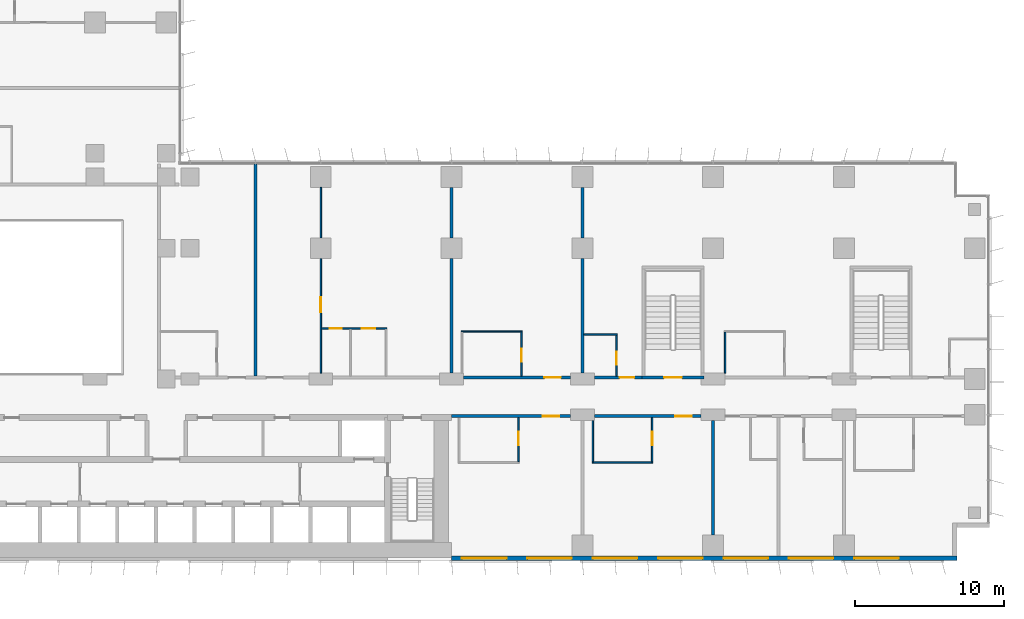
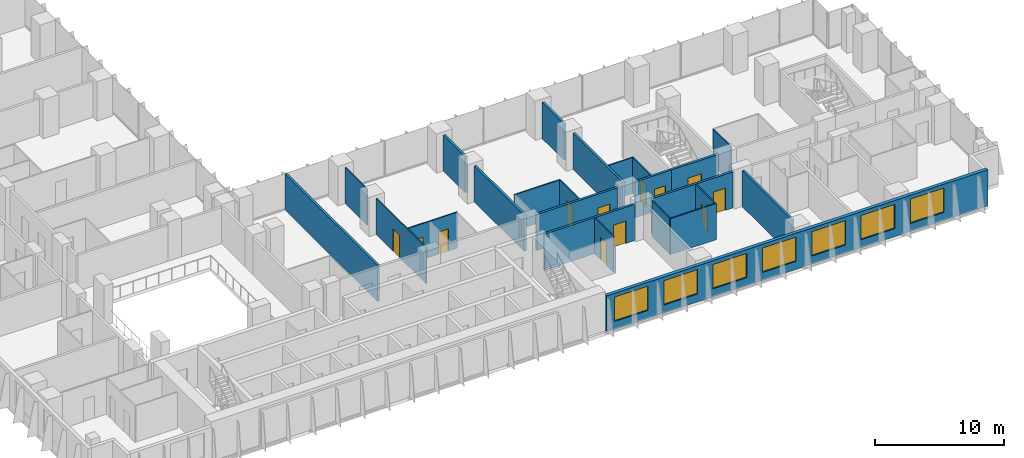
# One storey, part 14 of 24: 24 walls, 12 doors, 7 windows, 19 openings.
"""IFC4 building model written with IfcOpenShell, lengths in metres."""

import ifcopenshell
import ifcopenshell.guid

model = None  # the IFC model being written
_history = None  # IfcOwnerHistory: only IFC2X3 demands one
_inside = {}  # id of a spatial element -> (the spatial element, [elements in it])
_under = {}  # id of a project, library or spatial element -> (it, [spatial elements below it])
_declared = {}  # id of a project -> (the project, [libraries it declares])
_typed = {}  # id of a type object -> (the type object, [elements of that type])
_made_of = {}  # id of a material, layer set ... -> (it, [elements and type objects made of it])


def new_model(schema):
    """Start an empty IFC model of exactly this schema.

    Asked for "IFC4X3", IfcOpenShell would pick the latest addendum, in which some entities
    have other attributes; the version numbers below select the first issue.
    IFC2X3 requires an IfcOwnerHistory on every rooted entity: one is made here for all.
    """
    global model, _history
    if schema == "IFC4X3":
        model = ifcopenshell.file(schema_version=(4, 3, 0, 0))
    else:
        model = ifcopenshell.file(schema=schema)
    _inside.clear()
    _under.clear()
    _declared.clear()
    _typed.clear()
    _made_of.clear()
    _history = None
    if model.schema == "IFC2X3":
        org = make("IfcOrganization", Name="unknown")
        user = make(
            "IfcPersonAndOrganization",
            ThePerson=make("IfcPerson", FamilyName="unknown"),
            TheOrganization=org,
        )
        app = make(
            "IfcApplication",
            ApplicationDeveloper=org,
            Version="unknown",
            ApplicationFullName="unknown",
            ApplicationIdentifier="unknown",
        )
        _history = make(
            "IfcOwnerHistory",
            OwningUser=user,
            OwningApplication=app,
            ChangeAction="ADDED",
            CreationDate=0,
        )
    return model


def make(cls, **values):
    """One entity of the class cls with the attributes given. An attribute that is None is left unset."""
    return model.create_entity(
        cls, **{name: value for name, value in values.items() if value is not None}
    )


def rooted(cls, **values):
    """An entity with a GlobalId (a new one), such as an element, a storey or a relation."""
    return make(cls, GlobalId=ifcopenshell.guid.new(), OwnerHistory=_history, **values)


def si_unit(unit_type, name, prefix=None):
    """IfcSIUnit, for example si_unit("LENGTHUNIT", "METRE", prefix="MILLI")."""
    return make("IfcSIUnit", UnitType=unit_type, Prefix=prefix, Name=name)


def assignment(units):
    """IfcUnitAssignment: the units of a project."""
    return None if units is None else make("IfcUnitAssignment", Units=units)


def point(xyz):
    """IfcCartesianPoint."""
    return None if xyz is None else make("IfcCartesianPoint", Coordinates=xyz)


def direction(xyz):
    """IfcDirection."""
    return None if xyz is None else make("IfcDirection", DirectionRatios=xyz)


def frame(location, z_axis=None, x_axis=None):
    """IfcAxis2Placement3D, a coordinate frame: its origin and axes. An axis left out is left unset."""
    return make(
        "IfcAxis2Placement3D",
        Location=point(location),
        Axis=direction(z_axis),
        RefDirection=direction(x_axis),
    )


def frame_2d(location, x_axis=None):
    """IfcAxis2Placement2D, a coordinate frame in the plane: its origin and x axis."""
    return make(
        "IfcAxis2Placement2D", Location=point(location), RefDirection=direction(x_axis)
    )


def origin():
    """The frame at (0, 0, 0) with its axes left unset."""
    return frame((0.0, 0.0, 0.0))


def place(relative_to, where):
    """IfcLocalPlacement: puts the frame where relative to a parent placement (None: the world)."""
    return make(
        "IfcLocalPlacement", PlacementRelTo=relative_to, RelativePlacement=where
    )


def context(
    kind, dimensions, precision=None, world=None, true_north=None, identifier=None
):
    """IfcGeometricRepresentationContext, for example the 3D "Model" context."""
    return make(
        "IfcGeometricRepresentationContext",
        ContextIdentifier=identifier,
        ContextType=kind,
        CoordinateSpaceDimension=dimensions,
        Precision=precision,
        WorldCoordinateSystem=world,
        TrueNorth=true_north,
    )


def subcontext(parent, identifier, kind, view, scale=None):
    """IfcGeometricRepresentationSubContext, for example "Body" below "Model"."""
    return make(
        "IfcGeometricRepresentationSubContext",
        ContextIdentifier=identifier,
        ContextType=kind,
        ParentContext=parent,
        TargetScale=scale,
        TargetView=view,
    )


def project(units=None, contexts=None):
    """IfcProject with its units and contexts."""
    return rooted(
        "IfcProject",
        Name="project",
        RepresentationContexts=contexts,
        UnitsInContext=assignment(units),
    )


def spatial(cls, under=None, at=None, **own):
    """A site, building, storey or space (cls), placed at a placement, below another one or the project."""
    s = rooted(cls, ObjectPlacement=at, **own)
    if under is not None:
        _under.setdefault(under.id(), (under, []))[1].append(s)
    return s


def profile(cls, at=None, kind="AREA", **sizes):
    """A parametric profile (cls). Its sizes go by their IFC names, for example OverallWidth=200.0."""
    return make(cls, ProfileType=kind, Position=at, **sizes)


def rectangle(**sizes):
    """IfcRectangleProfileDef."""
    return profile("IfcRectangleProfileDef", **sizes)


def extrude(swept, where, along, depth):
    """IfcExtrudedAreaSolid: the profile swept, set in the frame where, extruded along a direction by depth."""
    return make(
        "IfcExtrudedAreaSolid",
        SweptArea=swept,
        Position=where,
        ExtrudedDirection=direction(along),
        Depth=depth,
    )


def shape(context_of_items, identifier, shape_type, items):
    """IfcShapeRepresentation: the items that make up one representation, for example the "Body"."""
    return make(
        "IfcShapeRepresentation",
        ContextOfItems=context_of_items,
        RepresentationIdentifier=identifier,
        RepresentationType=shape_type,
        Items=items,
    )


def material(Name=None, Category=None):
    """IfcMaterial."""
    return make("IfcMaterial", Name=Name, Category=Category)


def layer(
    of_material, thickness, ventilated=None, Name=None, Category=None, Priority=None
):
    """IfcMaterialLayer: one layer of a wall or slab, of a material (None: an air gap)."""
    return make(
        "IfcMaterialLayer",
        Material=of_material,
        LayerThickness=thickness,
        IsVentilated=ventilated,
        Name=Name,
        Category=Category,
        Priority=Priority,
    )


def layer_set(layers, Name=None):
    """IfcMaterialLayerSet."""
    return make("IfcMaterialLayerSet", MaterialLayers=layers, LayerSetName=Name)


def made_of(thing, what):
    """Note that an element or type object is made of a material, layer set ...; save() writes the relation."""
    if what is not None:
        _made_of.setdefault(what.id(), (what, []))[1].append(thing)
    return thing


def type_object(cls, material=None, **own):
    """A type object (cls), such as IfcWallType, which elements share."""
    return made_of(rooted(cls, **own), material)


def element(
    cls,
    number,
    at=None,
    inside=None,
    cuts=None,
    type_object=None,
    material=None,
    context=None,
    identifier="Body",
    shape_type=None,
    held_by="IfcProductDefinitionShape",
    body=None,
    shapes=None,
    **own,
):
    """One element of the class cls, such as IfcWall. Its Tag is "e" and its number.

    at: its placement. inside: the storey or other place that contains it. cuts: it is an
    opening in that element (IfcRelVoidsElement). A single representation is given by context,
    identifier, shape_type and body (its items); several are given by shapes. held_by: the class
    of the entity that holds the representations. save() writes the other relations.
    """
    e = rooted(cls, Tag="e%d" % number, ObjectPlacement=at, **own)
    if body is not None:
        shapes = [shape(context, identifier, shape_type, body)]
    if shapes is not None:
        e.Representation = make(held_by, Representations=shapes)
    if inside is not None:
        _inside.setdefault(inside.id(), (inside, []))[1].append(e)
    if cuts is not None:
        rooted(
            "IfcRelVoidsElement", RelatingBuildingElement=cuts, RelatedOpeningElement=e
        )
    if type_object is not None:
        _typed.setdefault(type_object.id(), (type_object, []))[1].append(e)
    return made_of(e, material)


def fill(opening, filler):
    """IfcRelFillsElement: the door or window that sits in an opening."""
    return rooted(
        "IfcRelFillsElement",
        RelatingOpeningElement=opening,
        RelatedBuildingElement=filler,
    )


def aggregate(whole, parts):
    """IfcRelAggregates: a whole, such as a stair, and the parts it consists of."""
    return rooted("IfcRelAggregates", RelatingObject=whole, RelatedObjects=parts)


def save(model, path):
    """Write the relations noted so far, then the file.

    IfcRelAggregates (storeys below a building ...), IfcRelContainedInSpatialStructure (elements
    in a storey), IfcRelDefinesByType, IfcRelAssociatesMaterial and IfcRelDeclares: one each for
    every whole, place, type object, material and project.
    """
    for whole, parts in _under.values():
        aggregate(whole, parts)
    for where, things in _inside.values():
        rooted(
            "IfcRelContainedInSpatialStructure",
            RelatedElements=things,
            RelatingStructure=where,
        )
    for kind, things in _typed.values():
        rooted("IfcRelDefinesByType", RelatedObjects=things, RelatingType=kind)
    for what, things in _made_of.values():
        rooted("IfcRelAssociatesMaterial", RelatedObjects=things, RelatingMaterial=what)
    for by, libraries in _declared.values():
        rooted("IfcRelDeclares", RelatingContext=by, RelatedDefinitions=libraries)
    model.write(path)


model = new_model("IFC4")

# Units and contexts
model_context = context("Model", 3, precision=1e-05, world=origin(), true_north=direction((0.0, 1.0)))
body_context = subcontext(model_context, "Body", "Model", "MODEL_VIEW")
ifc_project = project(units=[si_unit("LENGTHUNIT", "METRE"), si_unit("AREAUNIT", "SQUARE_METRE"), si_unit("VOLUMEUNIT", "CUBIC_METRE"), si_unit("PLANEANGLEUNIT", "RADIAN"), si_unit("MASSUNIT", "GRAM", prefix="KILO")], contexts=[model_context])

# Site, building, storey
site_placement = place(None, origin())
site = spatial("IfcSite", under=ifc_project, at=site_placement, CompositionType="ELEMENT")
building_placement = place(site_placement, origin())
building = spatial("IfcBuilding", under=site, at=building_placement, Name="Kemantara Hotel Tower", CompositionType="ELEMENT")
storey_placement = place(building_placement, frame((0.0, 0.0, 41.39990234375)))
storey = spatial("IfcBuildingStorey", under=building, at=storey_placement, Name="L08", CompositionType="ELEMENT", Elevation=41.39990234375)

# Wall, openings, windows
ifc_material_1 = material(Name="Bronze anodised aluminium cladding on insulated steel stud wall", Category="steel")
ifc_layer_1 = layer(ifc_material_1, 0.300048828125)
ifc_layer_set_1 = layer_set([ifc_layer_1], Name="Bronze anodised aluminium cladding on insulated steel stud wall")
wall_type_1 = type_object("IfcWallType", Name="BRONZE METAL-CLAD EXTERNAL WALL 300", PredefinedType="STANDARD", material=ifc_layer_set_1)
wall_1_placement = place(storey_placement, frame((45.0, 0.14990234375, 0.0), z_axis=(0.0, 0.0, 1.0), x_axis=(1.0, 0.0, 0.0)))
wall_1 = element("IfcWall", 1, at=wall_1_placement, inside=storey, type_object=wall_type_1, Name="EXTERNAL WALL L08 T1-R01-3", PredefinedType="STANDARD", context=body_context, shape_type="SweptSolid", body=[
    extrude(rectangle(XDim=34.0, YDim=0.300048828125, at=frame_2d((17.0, 0.0))), origin(), (0.0, 0.0, 1.0), 3.400146484375),
])
opening_1_placement = place(wall_1_placement, frame((0.699951171875, 0.0, 0.75)))
opening_1 = element("IfcOpeningElement", 2, at=opening_1_placement, cuts=wall_1, Name="Opening W1", PredefinedType="OPENING", context=body_context, shape_type="SweptSolid", body=[
    extrude(rectangle(XDim=3.0, YDim=2.300048828125, at=frame_2d((1.5, 1.14990234375))), frame((0.0, 0.159912109375, 0.0), z_axis=(0.0, -1.0, 0.0), x_axis=(1.0, 0.0, 0.0)), (0.0, 0.0, 1.0), 0.320068359375),
])
opening_2_placement = place(wall_1_placement, frame((5.10009765625, 0.0, 0.75)))
opening_2 = element("IfcOpeningElement", 3, at=opening_2_placement, cuts=wall_1, Name="Opening W1", PredefinedType="OPENING", context=body_context, shape_type="SweptSolid", body=[
    extrude(rectangle(XDim=3.0, YDim=2.300048828125, at=frame_2d((1.5, 1.14990234375))), frame((0.0, 0.159912109375, 0.0), z_axis=(0.0, -1.0, 0.0), x_axis=(1.0, 0.0, 0.0)), (0.0, 0.0, 1.0), 0.320068359375),
])
opening_3_placement = place(wall_1_placement, frame((9.5, 0.0, 0.75)))
opening_3 = element("IfcOpeningElement", 4, at=opening_3_placement, cuts=wall_1, Name="Opening W1", PredefinedType="OPENING", context=body_context, shape_type="SweptSolid", body=[
    extrude(rectangle(XDim=3.0, YDim=2.300048828125, at=frame_2d((1.5, 1.14990234375))), frame((0.0, 0.159912109375, 0.0), z_axis=(0.0, -1.0, 0.0), x_axis=(1.0, 0.0, 0.0)), (0.0, 0.0, 1.0), 0.320068359375),
])
opening_4_placement = place(wall_1_placement, frame((13.89990234375, 0.0, 0.75)))
opening_4 = element("IfcOpeningElement", 5, at=opening_4_placement, cuts=wall_1, Name="Opening W1", PredefinedType="OPENING", context=body_context, shape_type="SweptSolid", body=[
    extrude(rectangle(XDim=3.0, YDim=2.300048828125, at=frame_2d((1.5, 1.14990234375))), frame((0.0, 0.159912109375, 0.0), z_axis=(0.0, -1.0, 0.0), x_axis=(1.0, 0.0, 0.0)), (0.0, 0.0, 1.0), 0.320068359375),
])
opening_5_placement = place(wall_1_placement, frame((18.300048828125, 0.0, 0.75)))
opening_5 = element("IfcOpeningElement", 6, at=opening_5_placement, cuts=wall_1, Name="Opening W1", PredefinedType="OPENING", context=body_context, shape_type="SweptSolid", body=[
    extrude(rectangle(XDim=3.0, YDim=2.300048828125, at=frame_2d((1.5, 1.14990234375))), frame((0.0, 0.159912109375, 0.0), z_axis=(0.0, -1.0, 0.0), x_axis=(1.0, 0.0, 0.0)), (0.0, 0.0, 1.0), 0.320068359375),
])
opening_6_placement = place(wall_1_placement, frame((22.699951171875, 0.0, 0.75)))
opening_6 = element("IfcOpeningElement", 7, at=opening_6_placement, cuts=wall_1, Name="Opening W1", PredefinedType="OPENING", context=body_context, shape_type="SweptSolid", body=[
    extrude(rectangle(XDim=3.0, YDim=2.300048828125, at=frame_2d((1.5, 1.14990234375))), frame((0.0, 0.159912109375, 0.0), z_axis=(0.0, -1.0, 0.0), x_axis=(1.0, 0.0, 0.0)), (0.0, 0.0, 1.0), 0.320068359375),
])
opening_7_placement = place(wall_1_placement, frame((27.10009765625, 0.0, 0.75)))
opening_7 = element("IfcOpeningElement", 8, at=opening_7_placement, cuts=wall_1, Name="Opening W1", PredefinedType="OPENING", context=body_context, shape_type="SweptSolid", body=[
    extrude(rectangle(XDim=3.0, YDim=2.300048828125, at=frame_2d((1.5, 1.14990234375))), frame((0.0, 0.159912109375, 0.0), z_axis=(0.0, -1.0, 0.0), x_axis=(1.0, 0.0, 0.0)), (0.0, 0.0, 1.0), 0.320068359375),
])
ifc_material_2 = material(Name="Low-E tinted double insulated glass in bronze anodised aluminium frame", Category="aluminium")
window_type = type_object("IfcWindowType", Name="CHICAGO WINDOW, TRIPLE PANEL 3000x2300", PartitioningType="TRIPLE_PANEL_VERTICAL", PredefinedType="WINDOW", material=ifc_material_2)
window_1_placement = place(opening_1_placement, origin())
window_1 = element("IfcWindow", 9, at=window_1_placement, inside=storey, type_object=window_type, Name="CHICAGO WINDOW L08 T1-R01-450", OverallHeight=2.300048828125, OverallWidth=3.0, PartitioningType="SINGLE_PANEL", PredefinedType="WINDOW", context=body_context, shape_type="SweptSolid", body=[
    extrude(rectangle(XDim=3.0, YDim=2.300048828125, at=frame_2d((1.5, 1.14990234375))), frame((0.0, 0.030029296875, 0.0), z_axis=(0.0, -1.0, 0.0), x_axis=(1.0, 0.0, 0.0)), (0.0, 0.0, 1.0), 0.06005859375),
])
fill(opening_1, window_1)
window_2_placement = place(opening_2_placement, origin())
window_2 = element("IfcWindow", 10, at=window_2_placement, inside=storey, type_object=window_type, Name="CHICAGO WINDOW L08 T1-R01-494", OverallHeight=2.300048828125, OverallWidth=3.0, PartitioningType="SINGLE_PANEL", PredefinedType="WINDOW", context=body_context, shape_type="SweptSolid", body=[
    extrude(rectangle(XDim=3.0, YDim=2.300048828125, at=frame_2d((1.5, 1.14990234375))), frame((0.0, 0.030029296875, 0.0), z_axis=(0.0, -1.0, 0.0), x_axis=(1.0, 0.0, 0.0)), (0.0, 0.0, 1.0), 0.06005859375),
])
fill(opening_2, window_2)
window_3_placement = place(opening_3_placement, origin())
window_3 = element("IfcWindow", 11, at=window_3_placement, inside=storey, type_object=window_type, Name="CHICAGO WINDOW L08 T1-R01-538", OverallHeight=2.300048828125, OverallWidth=3.0, PartitioningType="SINGLE_PANEL", PredefinedType="WINDOW", context=body_context, shape_type="SweptSolid", body=[
    extrude(rectangle(XDim=3.0, YDim=2.300048828125, at=frame_2d((1.5, 1.14990234375))), frame((0.0, 0.030029296875, 0.0), z_axis=(0.0, -1.0, 0.0), x_axis=(1.0, 0.0, 0.0)), (0.0, 0.0, 1.0), 0.06005859375),
])
fill(opening_3, window_3)
window_4_placement = place(opening_4_placement, origin())
window_4 = element("IfcWindow", 12, at=window_4_placement, inside=storey, type_object=window_type, Name="CHICAGO WINDOW L08 T1-R01-582", OverallHeight=2.300048828125, OverallWidth=3.0, PartitioningType="SINGLE_PANEL", PredefinedType="WINDOW", context=body_context, shape_type="SweptSolid", body=[
    extrude(rectangle(XDim=3.0, YDim=2.300048828125, at=frame_2d((1.5, 1.14990234375))), frame((0.0, 0.030029296875, 0.0), z_axis=(0.0, -1.0, 0.0), x_axis=(1.0, 0.0, 0.0)), (0.0, 0.0, 1.0), 0.06005859375),
])
fill(opening_4, window_4)
window_5_placement = place(opening_5_placement, origin())
window_5 = element("IfcWindow", 13, at=window_5_placement, inside=storey, type_object=window_type, Name="CHICAGO WINDOW L08 T1-R01-626", OverallHeight=2.300048828125, OverallWidth=3.0, PartitioningType="SINGLE_PANEL", PredefinedType="WINDOW", context=body_context, shape_type="SweptSolid", body=[
    extrude(rectangle(XDim=3.0, YDim=2.300048828125, at=frame_2d((1.5, 1.14990234375))), frame((0.0, 0.030029296875, 0.0), z_axis=(0.0, -1.0, 0.0), x_axis=(1.0, 0.0, 0.0)), (0.0, 0.0, 1.0), 0.06005859375),
])
fill(opening_5, window_5)
window_6_placement = place(opening_6_placement, origin())
window_6 = element("IfcWindow", 14, at=window_6_placement, inside=storey, type_object=window_type, Name="CHICAGO WINDOW L08 T1-R01-670", OverallHeight=2.300048828125, OverallWidth=3.0, PartitioningType="SINGLE_PANEL", PredefinedType="WINDOW", context=body_context, shape_type="SweptSolid", body=[
    extrude(rectangle(XDim=3.0, YDim=2.300048828125, at=frame_2d((1.5, 1.14990234375))), frame((0.0, 0.030029296875, 0.0), z_axis=(0.0, -1.0, 0.0), x_axis=(1.0, 0.0, 0.0)), (0.0, 0.0, 1.0), 0.06005859375),
])
fill(opening_6, window_6)
window_7_placement = place(opening_7_placement, origin())
window_7 = element("IfcWindow", 15, at=window_7_placement, inside=storey, type_object=window_type, Name="CHICAGO WINDOW L08 T1-R01-714", OverallHeight=2.300048828125, OverallWidth=3.0, PartitioningType="SINGLE_PANEL", PredefinedType="WINDOW", context=body_context, shape_type="SweptSolid", body=[
    extrude(rectangle(XDim=3.0, YDim=2.300048828125, at=frame_2d((1.5, 1.14990234375))), frame((0.0, 0.030029296875, 0.0), z_axis=(0.0, -1.0, 0.0), x_axis=(1.0, 0.0, 0.0)), (0.0, 0.0, 1.0), 0.06005859375),
])
fill(opening_7, window_7)

# Wall, opening, door
ifc_material_3 = material(Name="Gypsum board partition, steel studs and mineral wool, 200 mm", Category="steel")
ifc_layer_2 = layer(ifc_material_3, 0.199951171875)
ifc_layer_set_2 = layer_set([ifc_layer_2], Name="Gypsum board partition, steel studs and mineral wool, 200 mm")
wall_type_2 = type_object("IfcWallType", Name="CORRIDOR WALL 200", PredefinedType="PARTITIONING", material=ifc_layer_set_2)
wall_2_placement = place(storey_placement, frame((53.0, 9.699951171875, 0.0), z_axis=(0.0, 0.0, 1.0), x_axis=(-1.0, 0.0, 0.0)))
wall_2 = element("IfcWall", 16, at=wall_2_placement, inside=storey, type_object=wall_type_2, Name="CORRIDOR WALL 200 001", PredefinedType="PARTITIONING", context=body_context, shape_type="SweptSolid", body=[
    extrude(rectangle(XDim=8.0, YDim=0.199951171875, at=frame_2d((4.0, 0.0))), origin(), (0.0, 0.0, 1.0), 3.400146484375),
])
opening_8_placement = place(wall_2_placement, frame((0.75, 0.0, 0.0)))
opening_8 = element("IfcOpeningElement", 17, at=opening_8_placement, cuts=wall_2, Name="Opening F02-001", PredefinedType="OPENING", context=body_context, shape_type="SweptSolid", body=[
    extrude(rectangle(XDim=1.10009765625, YDim=2.10009765625, at=frame_2d((0.550048828125, 1.050048828125))), frame((0.0, 0.10986328125, 0.0), z_axis=(0.0, -1.0, 0.0), x_axis=(1.0, 0.0, 0.0)), (0.0, 0.0, 1.0), 0.219970703125),
])
ifc_material_4 = material(Name="Hardwood veneer door leaf with steel frame", Category="steel")
door_type_1 = type_object("IfcDoorType", Name="SUITE ENTRANCE DOOR 1100 X 2100 FD30S", OperationType="NOTDEFINED", PredefinedType="DOOR", material=ifc_material_4)
door_1_placement = place(opening_8_placement, origin())
door_1 = element("IfcDoor", 18, at=door_1_placement, inside=storey, type_object=door_type_1, Name="SUITE ENTRANCE DOOR F02-001", OperationType="SINGLE_SWING_LEFT", OverallHeight=2.10009765625, OverallWidth=1.10009765625, PredefinedType="DOOR", context=body_context, shape_type="SweptSolid", body=[
    extrude(rectangle(XDim=1.10009765625, YDim=2.10009765625, at=frame_2d((0.550048828125, 1.050048828125))), frame((0.0, 0.02490234375, 0.0), z_axis=(0.0, -1.0, 0.0), x_axis=(1.0, 0.0, 0.0)), (0.0, 0.0, 1.0), 0.050048828125),
])
fill(opening_8, door_1)

wall_3_placement = place(storey_placement, frame((61.7998046875, 9.699951171875, 0.0), z_axis=(0.0, 0.0, 1.0), x_axis=(-1.0, 0.0, 0.0)))
wall_3 = element("IfcWall", 19, at=wall_3_placement, inside=storey, type_object=wall_type_2, Name="CORRIDOR WALL 200 002", PredefinedType="PARTITIONING", context=body_context, shape_type="SweptSolid", body=[
    extrude(rectangle(XDim=7.19970703125, YDim=0.199951171875, at=frame_2d((3.599853515625, 0.0))), origin(), (0.0, 0.0, 1.0), 3.400146484375),
])
opening_9_placement = place(wall_3_placement, frame((0.64990234375, 0.0, 0.0)))
opening_9 = element("IfcOpeningElement", 20, at=opening_9_placement, cuts=wall_3, Name="Opening F02-003", PredefinedType="OPENING", context=body_context, shape_type="SweptSolid", body=[
    extrude(rectangle(XDim=1.10009765625, YDim=2.10009765625, at=frame_2d((0.550048828125, 1.050048828125))), frame((0.0, 0.10986328125, 0.0), z_axis=(0.0, -1.0, 0.0), x_axis=(1.0, 0.0, 0.0)), (0.0, 0.0, 1.0), 0.219970703125),
])
door_2_placement = place(opening_9_placement, origin())
door_2 = element("IfcDoor", 21, at=door_2_placement, inside=storey, type_object=door_type_1, Name="SUITE ENTRANCE DOOR F02-003", OperationType="SINGLE_SWING_LEFT", OverallHeight=2.10009765625, OverallWidth=1.10009765625, PredefinedType="DOOR", context=body_context, shape_type="SweptSolid", body=[
    extrude(rectangle(XDim=1.10009765625, YDim=2.10009765625, at=frame_2d((0.550048828125, 1.050048828125))), frame((0.0, 0.02490234375, 0.0), z_axis=(0.0, -1.0, 0.0), x_axis=(1.0, 0.0, 0.0)), (0.0, 0.0, 1.0), 0.050048828125),
])
fill(opening_9, door_2)

wall_4_placement = place(storey_placement, frame((45.800048828125, 12.300048828125, 0.0), z_axis=(0.0, 0.0, 1.0), x_axis=(1.0, 0.0, 0.0)))
wall_4 = element("IfcWall", 22, at=wall_4_placement, inside=storey, type_object=wall_type_2, Name="CORRIDOR WALL 200 014", PredefinedType="PARTITIONING", context=body_context, shape_type="SweptSolid", body=[
    extrude(rectangle(XDim=7.199951171875, YDim=0.199951171875, at=frame_2d((3.60009765625, 0.0))), origin(), (0.0, 0.0, 1.0), 3.400146484375),
])
opening_10_placement = place(wall_4_placement, frame((5.449951171875, 0.0, 0.0)))
opening_10 = element("IfcOpeningElement", 23, at=opening_10_placement, cuts=wall_4, Name="Opening F02-017", PredefinedType="OPENING", context=body_context, shape_type="SweptSolid", body=[
    extrude(rectangle(XDim=1.10009765625, YDim=2.10009765625, at=frame_2d((0.550048828125, 1.050048828125))), frame((0.0, 0.10986328125, 0.0), z_axis=(0.0, -1.0, 0.0), x_axis=(1.0, 0.0, 0.0)), (0.0, 0.0, 1.0), 0.219970703125),
])
door_3_placement = place(opening_10_placement, origin())
door_3 = element("IfcDoor", 24, at=door_3_placement, inside=storey, type_object=door_type_1, Name="SUITE ENTRANCE DOOR F02-017", OperationType="SINGLE_SWING_RIGHT", OverallHeight=2.10009765625, OverallWidth=1.10009765625, PredefinedType="DOOR", context=body_context, shape_type="SweptSolid", body=[
    extrude(rectangle(XDim=1.10009765625, YDim=2.10009765625, at=frame_2d((0.550048828125, 1.050048828125))), frame((0.0, 0.02490234375, 0.0), z_axis=(0.0, -1.0, 0.0), x_axis=(1.0, 0.0, 0.0)), (0.0, 0.0, 1.0), 0.050048828125),
])
fill(opening_10, door_3)

wall_5_placement = place(storey_placement, frame((54.60009765625, 12.300048828125, 0.0), z_axis=(0.0, 0.0, 1.0), x_axis=(1.0, 0.0, 0.0)))
wall_5 = element("IfcWall", 25, at=wall_5_placement, inside=storey, type_object=wall_type_2, Name="CORRIDOR WALL 200 015", PredefinedType="PARTITIONING", context=body_context, shape_type="SweptSolid", body=[
    extrude(rectangle(XDim=3.199951171875, YDim=0.199951171875, at=frame_2d((1.60009765625, 0.0))), origin(), (0.0, 0.0, 1.0), 3.400146484375),
])
opening_11_placement = place(wall_5_placement, frame((1.699951171875, 0.0, 0.0)))
opening_11 = element("IfcOpeningElement", 26, at=opening_11_placement, cuts=wall_5, Name="Opening F02-019", PredefinedType="OPENING", context=body_context, shape_type="SweptSolid", body=[
    extrude(rectangle(XDim=1.0, YDim=2.10009765625, at=frame_2d((0.5, 1.050048828125))), frame((0.0, 0.10986328125, 0.0), z_axis=(0.0, -1.0, 0.0), x_axis=(1.0, 0.0, 0.0)), (0.0, 0.0, 1.0), 0.219970703125),
])
door_type_2 = type_object("IfcDoorType", Name="GUEST ROOM DOOR 1000 X 2100 FD30S", OperationType="NOTDEFINED", PredefinedType="DOOR", material=ifc_material_4)
door_4_placement = place(opening_11_placement, origin())
door_4 = element("IfcDoor", 27, at=door_4_placement, inside=storey, type_object=door_type_2, Name="GUEST ROOM DOOR F02-019", OperationType="SINGLE_SWING_RIGHT", OverallHeight=2.10009765625, OverallWidth=1.0, PredefinedType="DOOR", context=body_context, shape_type="SweptSolid", body=[
    extrude(rectangle(XDim=1.0, YDim=2.10009765625, at=frame_2d((0.5, 1.050048828125))), frame((0.0, 0.02490234375, 0.0), z_axis=(0.0, -1.0, 0.0), x_axis=(1.0, 0.0, 0.0)), (0.0, 0.0, 1.0), 0.050048828125),
])
fill(opening_11, door_4)

ifc_material_5 = material(Name="Concrete fc 40 MPa", Category="concrete")
ifc_layer_3 = layer(ifc_material_5, 0.199951171875)
ifc_layer_set_3 = layer_set([ifc_layer_3], Name="Concrete fc 40 MPa")
wall_type_3 = type_object("IfcWallType", Name="Concrete stair wall 200 mm", PredefinedType="SHEAR", material=ifc_layer_set_3)
wall_6_placement = place(storey_placement, frame((57.800048828125, 12.300048828125, 0.0), z_axis=(0.0, 0.0, 1.0), x_axis=(1.0, 0.0, 0.0)))
wall_6 = element("IfcWall", 28, at=wall_6_placement, inside=storey, type_object=wall_type_3, Name="Stair ST3 enclosure wall with door", PredefinedType="SHEAR", context=body_context, shape_type="SweptSolid", body=[
    extrude(rectangle(XDim=4.199951171875, YDim=0.199951171875, at=frame_2d((2.10009765625, 0.0))), origin(), (0.0, 0.0, 1.0), 3.400146484375),
])
opening_12_placement = place(wall_6_placement, frame((1.5, 0.0, 0.0)))
opening_12 = element("IfcOpeningElement", 29, at=opening_12_placement, cuts=wall_6, Name="Opening ST3-C", PredefinedType="OPENING", context=body_context, shape_type="SweptSolid", body=[
    extrude(rectangle(XDim=1.199951171875, YDim=2.10009765625, at=frame_2d((0.60009765625, 1.050048828125))), frame((0.0, 0.10986328125, 0.0), z_axis=(0.0, -1.0, 0.0), x_axis=(1.0, 0.0, 0.0)), (0.0, 0.0, 1.0), 0.219970703125),
])
ifc_material_6 = material(Name="Steel fire door", Category="steel")
door_type_3 = type_object("IfcDoorType", Name="Fire door FD90 1200 x 2100", OperationType="NOTDEFINED", PredefinedType="DOOR", material=ifc_material_6)
door_5_placement = place(opening_12_placement, origin())
door_5 = element("IfcDoor", 30, at=door_5_placement, inside=storey, type_object=door_type_3, Name="Stair ST3 door", OperationType="SINGLE_SWING_RIGHT", OverallHeight=2.10009765625, OverallWidth=1.199951171875, PredefinedType="DOOR", context=body_context, shape_type="SweptSolid", body=[
    extrude(rectangle(XDim=1.199951171875, YDim=2.10009765625, at=frame_2d((0.60009765625, 1.050048828125))), frame((0.0, 0.02490234375, 0.0), z_axis=(0.0, -1.0, 0.0), x_axis=(1.0, 0.0, 0.0)), (0.0, 0.0, 1.0), 0.050048828125),
])
fill(opening_12, door_5)

# Walls
ifc_layer_4 = layer(ifc_material_3, 0.199951171875)
ifc_layer_set_4 = layer_set([ifc_layer_4], Name="Gypsum board partition, steel studs and mineral wool, 200 mm")
wall_type_4 = type_object("IfcWallType", Name="GUEST ROOM PARTY WALL 200", PredefinedType="PARTITIONING", material=ifc_layer_set_4)
wall_7_placement = place(storey_placement, frame((53.800048828125, 12.60009765625, 0.0), z_axis=(0.0, 0.0, 1.0), x_axis=(0.0, 1.0, 0.0)))
element("IfcWall", 31, at=wall_7_placement, inside=storey, type_object=wall_type_4, Name="GUEST ROOM PARTY WALL 200 006", PredefinedType="PARTITIONING", context=body_context, shape_type="SweptSolid", body=[
    extrude(rectangle(XDim=7.69970703125, YDim=0.199951171875, at=frame_2d((3.849853515625, 0.0))), origin(), (0.0, 0.0, 1.0), 3.400146484375),
])
wall_8_placement = place(storey_placement, frame((53.800048828125, 21.7001953125, 0.0), z_axis=(0.0, 0.0, 1.0), x_axis=(0.0, 1.0, 0.0)))
element("IfcWall", 32, at=wall_8_placement, inside=storey, type_object=wall_type_4, Name="GUEST ROOM PARTY WALL 200 007", PredefinedType="PARTITIONING", context=body_context, shape_type="SweptSolid", body=[
    extrude(rectangle(XDim=3.399658203125, YDim=0.199951171875, at=frame_2d((1.69970703125, 0.0))), origin(), (0.0, 0.0, 1.0), 3.400146484375),
])
wall_9_placement = place(storey_placement, frame((62.60009765625, 1.7001953125, 0.0), z_axis=(0.0, 0.0, 1.0), x_axis=(0.0, 1.0, 0.0)))
element("IfcWall", 33, at=wall_9_placement, inside=storey, type_object=wall_type_4, Name="GUEST ROOM PARTY WALL 200 008", PredefinedType="PARTITIONING", context=body_context, shape_type="SweptSolid", body=[
    extrude(rectangle(XDim=7.69970703125, YDim=0.199951171875, at=frame_2d((3.849853515625, 0.0))), origin(), (0.0, 0.0, 1.0), 3.400146484375),
])
wall_10_placement = place(storey_placement, frame((31.800048828125, 12.39990234375, 0.0), z_axis=(0.0, 0.0, 1.0), x_axis=(0.0, 1.0, 0.0)))
element("IfcWall", 34, at=wall_10_placement, inside=storey, type_object=wall_type_4, Name="GUEST ROOM PARTY WALL 200 021", PredefinedType="PARTITIONING", context=body_context, shape_type="SweptSolid", body=[
    extrude(rectangle(XDim=14.27001953125, YDim=0.199951171875, at=frame_2d((7.135009765625, 0.0))), origin(), (0.0, 0.0, 1.0), 3.400146484375),
])
wall_11_placement = place(storey_placement, frame((45.0, 12.60009765625, 0.0), z_axis=(0.0, 0.0, 1.0), x_axis=(0.0, 1.0, 0.0)))
element("IfcWall", 35, at=wall_11_placement, inside=storey, type_object=wall_type_4, Name="GUEST ROOM PARTY WALL 200 022", PredefinedType="PARTITIONING", context=body_context, shape_type="SweptSolid", body=[
    extrude(rectangle(XDim=7.69970703125, YDim=0.199951171875, at=frame_2d((3.849853515625, 0.0))), origin(), (0.0, 0.0, 1.0), 3.400146484375),
])
wall_12_placement = place(storey_placement, frame((45.0, 21.7001953125, 0.0), z_axis=(0.0, 0.0, 1.0), x_axis=(0.0, 1.0, 0.0)))
element("IfcWall", 36, at=wall_12_placement, inside=storey, type_object=wall_type_4, Name="GUEST ROOM PARTY WALL 200 023", PredefinedType="PARTITIONING", context=body_context, shape_type="SweptSolid", body=[
    extrude(rectangle(XDim=3.399658203125, YDim=0.199951171875, at=frame_2d((1.69970703125, 0.0))), origin(), (0.0, 0.0, 1.0), 3.400146484375),
])
ifc_material_7 = material(Name="Gypsum board partition on steel studs, 100 mm", Category="steel")
ifc_layer_5 = layer(ifc_material_7, 0.10009765625)
ifc_layer_set_5 = layer_set([ifc_layer_5], Name="Gypsum board partition on steel studs, 100 mm")
wall_type_5 = type_object("IfcWallType", Name="ROOM PARTITION 100", PredefinedType="PARTITIONING", material=ifc_layer_set_5)
wall_13_placement = place(storey_placement, frame((54.449951171875, 6.60009765625, 0.0), z_axis=(0.0, 0.0, 1.0), x_axis=(1.0, 0.0, 0.0)))
element("IfcWall", 37, at=wall_13_placement, inside=storey, type_object=wall_type_5, Name="ROOM PARTITION 100 057", PredefinedType="PARTITIONING", context=body_context, shape_type="SweptSolid", body=[
    extrude(rectangle(XDim=4.10009765625, YDim=0.10009765625, at=frame_2d((2.050048828125, 0.0))), origin(), (0.0, 0.0, 1.0), 3.400146484375),
])

# Wall, opening, door
wall_14_placement = place(storey_placement, frame((49.5, 6.64990234375, 0.0), z_axis=(0.0, 0.0, 1.0), x_axis=(0.0, 1.0, 0.0)))
wall_14 = element("IfcWall", 38, at=wall_14_placement, inside=storey, type_object=wall_type_5, Name="ROOM PARTITION 100 059", PredefinedType="PARTITIONING", context=body_context, shape_type="SweptSolid", body=[
    extrude(rectangle(XDim=2.9501953125, YDim=0.10009765625, at=frame_2d((1.47509765625, 0.0))), origin(), (0.0, 0.0, 1.0), 3.400146484375),
])
opening_13_placement = place(wall_14_placement, frame((1.10009765625, 0.0, 0.0)))
opening_13 = element("IfcOpeningElement", 39, at=opening_13_placement, cuts=wall_14, Name="Opening F02-002", PredefinedType="OPENING", context=body_context, shape_type="SweptSolid", body=[
    extrude(rectangle(XDim=0.89990234375, YDim=2.10009765625, at=frame_2d((0.449951171875, 1.050048828125))), frame((0.0, 0.06005859375, 0.0), z_axis=(0.0, -1.0, 0.0), x_axis=(1.0, 0.0, 0.0)), (0.0, 0.0, 1.0), 0.1201171875),
])
door_type_4 = type_object("IfcDoorType", Name="BATHROOM DOOR 900 X 2100", OperationType="NOTDEFINED", PredefinedType="DOOR", material=ifc_material_4)
door_6_placement = place(opening_13_placement, origin())
door_6 = element("IfcDoor", 40, at=door_6_placement, inside=storey, type_object=door_type_4, Name="BATHROOM DOOR F02-002", OperationType="SINGLE_SWING_RIGHT", OverallHeight=2.10009765625, OverallWidth=0.89990234375, PredefinedType="DOOR", context=body_context, shape_type="SweptSolid", body=[
    extrude(rectangle(XDim=0.89990234375, YDim=2.10009765625, at=frame_2d((0.449951171875, 1.050048828125))), frame((0.0, 0.02490234375, 0.0), z_axis=(0.0, -1.0, 0.0), x_axis=(1.0, 0.0, 0.0)), (0.0, 0.0, 1.0), 0.050048828125),
])
fill(opening_13, door_6)

# Wall
wall_15_placement = place(storey_placement, frame((54.5, 6.64990234375, 0.0), z_axis=(0.0, 0.0, 1.0), x_axis=(0.0, 1.0, 0.0)))
element("IfcWall", 41, at=wall_15_placement, inside=storey, type_object=wall_type_5, Name="ROOM PARTITION 100 060", PredefinedType="PARTITIONING", context=body_context, shape_type="SweptSolid", body=[
    extrude(rectangle(XDim=2.75, YDim=0.10009765625, at=frame_2d((1.375, 0.0))), origin(), (0.0, 0.0, 1.0), 3.400146484375),
])

# Wall, opening, door
wall_16_placement = place(storey_placement, frame((58.5, 6.64990234375, 0.0), z_axis=(0.0, 0.0, 1.0), x_axis=(0.0, 1.0, 0.0)))
wall_16 = element("IfcWall", 42, at=wall_16_placement, inside=storey, type_object=wall_type_5, Name="ROOM PARTITION 100 061", PredefinedType="PARTITIONING", context=body_context, shape_type="SweptSolid", body=[
    extrude(rectangle(XDim=2.9501953125, YDim=0.10009765625, at=frame_2d((1.47509765625, 0.0))), origin(), (0.0, 0.0, 1.0), 3.400146484375),
])
opening_14_placement = place(wall_16_placement, frame((1.10009765625, 0.0, 0.0)))
opening_14 = element("IfcOpeningElement", 43, at=opening_14_placement, cuts=wall_16, Name="Opening F02-004", PredefinedType="OPENING", context=body_context, shape_type="SweptSolid", body=[
    extrude(rectangle(XDim=0.89990234375, YDim=2.10009765625, at=frame_2d((0.449951171875, 1.050048828125))), frame((0.0, 0.06005859375, 0.0), z_axis=(0.0, -1.0, 0.0), x_axis=(1.0, 0.0, 0.0)), (0.0, 0.0, 1.0), 0.1201171875),
])
door_7_placement = place(opening_14_placement, origin())
door_7 = element("IfcDoor", 44, at=door_7_placement, inside=storey, type_object=door_type_4, Name="BATHROOM DOOR F02-004", OperationType="SINGLE_SWING_RIGHT", OverallHeight=2.10009765625, OverallWidth=0.89990234375, PredefinedType="DOOR", context=body_context, shape_type="SweptSolid", body=[
    extrude(rectangle(XDim=0.89990234375, YDim=2.10009765625, at=frame_2d((0.449951171875, 1.050048828125))), frame((0.0, 0.02490234375, 0.0), z_axis=(0.0, -1.0, 0.0), x_axis=(1.0, 0.0, 0.0)), (0.0, 0.0, 1.0), 0.050048828125),
])
fill(opening_14, door_7)

# Wall
wall_17_placement = place(storey_placement, frame((45.64990234375, 15.39990234375, 0.0), z_axis=(0.0, 0.0, 1.0), x_axis=(1.0, 0.0, 0.0)))
element("IfcWall", 45, at=wall_17_placement, inside=storey, type_object=wall_type_5, Name="ROOM PARTITION 100 070", PredefinedType="PARTITIONING", context=body_context, shape_type="SweptSolid", body=[
    extrude(rectangle(XDim=4.10009765625, YDim=0.10009765625, at=frame_2d((2.050048828125, 0.0))), origin(), (0.0, 0.0, 1.0), 3.400146484375),
])

# Wall, openings, doors
wall_18_placement = place(storey_placement, frame((40.64990234375, 15.60009765625, 0.0), z_axis=(0.0, 0.0, 1.0), x_axis=(-1.0, 0.0, 0.0)))
wall_18 = element("IfcWall", 46, at=wall_18_placement, inside=storey, type_object=wall_type_5, Name="ROOM PARTITION 100 073", PredefinedType="PARTITIONING", context=body_context, shape_type="SweptSolid", body=[
    extrude(rectangle(XDim=4.39990234375, YDim=0.10009765625, at=frame_2d((2.199951171875, 0.0))), origin(), (0.0, 0.0, 1.0), 3.400146484375),
])
opening_15_placement = place(wall_18_placement, frame((0.800048828125, 0.0, 0.0)))
opening_15 = element("IfcOpeningElement", 47, at=opening_15_placement, cuts=wall_18, Name="Opening F02-015", PredefinedType="OPENING", context=body_context, shape_type="SweptSolid", body=[
    extrude(rectangle(XDim=0.89990234375, YDim=2.10009765625, at=frame_2d((0.449951171875, 1.050048828125))), frame((0.0, 0.06005859375, 0.0), z_axis=(0.0, -1.0, 0.0), x_axis=(1.0, 0.0, 0.0)), (0.0, 0.0, 1.0), 0.1201171875),
])
opening_16_placement = place(wall_18_placement, frame((3.050048828125, 0.0, 0.0)))
opening_16 = element("IfcOpeningElement", 48, at=opening_16_placement, cuts=wall_18, Name="Opening F02-016", PredefinedType="OPENING", context=body_context, shape_type="SweptSolid", body=[
    extrude(rectangle(XDim=0.800048828125, YDim=2.10009765625, at=frame_2d((0.39990234375, 1.050048828125))), frame((0.0, 0.06005859375, 0.0), z_axis=(0.0, -1.0, 0.0), x_axis=(1.0, 0.0, 0.0)), (0.0, 0.0, 1.0), 0.1201171875),
])
door_8_placement = place(opening_15_placement, origin())
door_8 = element("IfcDoor", 49, at=door_8_placement, inside=storey, type_object=door_type_4, Name="BATHROOM DOOR F02-015", OperationType="SINGLE_SWING_RIGHT", OverallHeight=2.10009765625, OverallWidth=0.89990234375, PredefinedType="DOOR", context=body_context, shape_type="SweptSolid", body=[
    extrude(rectangle(XDim=0.89990234375, YDim=2.10009765625, at=frame_2d((0.449951171875, 1.050048828125))), frame((0.0, 0.02490234375, 0.0), z_axis=(0.0, -1.0, 0.0), x_axis=(1.0, 0.0, 0.0)), (0.0, 0.0, 1.0), 0.050048828125),
])
fill(opening_15, door_8)
door_type_5 = type_object("IfcDoorType", Name="WARDROBE DOOR 800 X 2100", OperationType="NOTDEFINED", PredefinedType="DOOR", material=ifc_material_4)
door_9_placement = place(opening_16_placement, origin())
door_9 = element("IfcDoor", 50, at=door_9_placement, inside=storey, type_object=door_type_5, Name="WARDROBE DOOR F02-016", OperationType="SINGLE_SWING_RIGHT", OverallHeight=2.10009765625, OverallWidth=0.800048828125, PredefinedType="DOOR", context=body_context, shape_type="SweptSolid", body=[
    extrude(rectangle(XDim=0.800048828125, YDim=2.10009765625, at=frame_2d((0.39990234375, 1.050048828125))), frame((0.0, 0.02490234375, 0.0), z_axis=(0.0, -1.0, 0.0), x_axis=(1.0, 0.0, 0.0)), (0.0, 0.0, 1.0), 0.050048828125),
])
fill(opening_16, door_9)

# Wall, opening, door
wall_19_placement = place(storey_placement, frame((36.199951171875, 20.2998046875, 0.0), z_axis=(0.0, 0.0, 1.0), x_axis=(0.0, -1.0, 0.0)))
wall_19 = element("IfcWall", 51, at=wall_19_placement, inside=storey, type_object=wall_type_5, Name="ROOM PARTITION 100 074", PredefinedType="PARTITIONING", context=body_context, shape_type="SweptSolid", body=[
    extrude(rectangle(XDim=7.69970703125, YDim=0.10009765625, at=frame_2d((3.849853515625, 0.0))), origin(), (0.0, 0.0, 1.0), 3.400146484375),
])
opening_17_placement = place(wall_19_placement, frame((2.599853515625, 0.0, 0.0)))
opening_17 = element("IfcOpeningElement", 52, at=opening_17_placement, cuts=wall_19, Name="Opening F02-014", PredefinedType="OPENING", context=body_context, shape_type="SweptSolid", body=[
    extrude(rectangle(XDim=1.0, YDim=2.10009765625, at=frame_2d((0.5, 1.050048828125))), frame((0.0, 0.06005859375, 0.0), z_axis=(0.0, -1.0, 0.0), x_axis=(1.0, 0.0, 0.0)), (0.0, 0.0, 1.0), 0.1201171875),
])
door_type_6 = type_object("IfcDoorType", Name="INTERNAL DOOR 1000 X 2100", OperationType="NOTDEFINED", PredefinedType="DOOR", material=ifc_material_4)
door_10_placement = place(opening_17_placement, origin())
door_10 = element("IfcDoor", 53, at=door_10_placement, inside=storey, type_object=door_type_6, Name="INTERNAL DOOR F02-014", OperationType="SINGLE_SWING_RIGHT", OverallHeight=2.10009765625, OverallWidth=1.0, PredefinedType="DOOR", context=body_context, shape_type="SweptSolid", body=[
    extrude(rectangle(XDim=1.0, YDim=2.10009765625, at=frame_2d((0.5, 1.050048828125))), frame((0.0, 0.02490234375, 0.0), z_axis=(0.0, -1.0, 0.0), x_axis=(1.0, 0.0, 0.0)), (0.0, 0.0, 1.0), 0.050048828125),
])
fill(opening_17, door_10)

# Wall
wall_20_placement = place(storey_placement, frame((36.199951171875, 21.7001953125, 0.0), z_axis=(0.0, 0.0, 1.0), x_axis=(0.0, 1.0, 0.0)))
element("IfcWall", 54, at=wall_20_placement, inside=storey, type_object=wall_type_5, Name="ROOM PARTITION 100 075", PredefinedType="PARTITIONING", context=body_context, shape_type="SweptSolid", body=[
    extrude(rectangle(XDim=3.399658203125, YDim=0.10009765625, at=frame_2d((1.69970703125, 0.0))), origin(), (0.0, 0.0, 1.0), 3.400146484375),
])

# Wall, opening, door
wall_21_placement = place(storey_placement, frame((49.699951171875, 12.39990234375, 0.0), z_axis=(0.0, 0.0, 1.0), x_axis=(0.0, 1.0, 0.0)))
wall_21 = element("IfcWall", 55, at=wall_21_placement, inside=storey, type_object=wall_type_5, Name="ROOM PARTITION 100 079", PredefinedType="PARTITIONING", context=body_context, shape_type="SweptSolid", body=[
    extrude(rectangle(XDim=2.9501953125, YDim=0.10009765625, at=frame_2d((1.47509765625, 0.0))), origin(), (0.0, 0.0, 1.0), 3.400146484375),
])
opening_18_placement = place(wall_21_placement, frame((0.949951171875, 0.0, 0.0)))
opening_18 = element("IfcOpeningElement", 56, at=opening_18_placement, cuts=wall_21, Name="Opening F02-018", PredefinedType="OPENING", context=body_context, shape_type="SweptSolid", body=[
    extrude(rectangle(XDim=0.89990234375, YDim=2.10009765625, at=frame_2d((0.449951171875, 1.050048828125))), frame((0.0, 0.06005859375, 0.0), z_axis=(0.0, -1.0, 0.0), x_axis=(1.0, 0.0, 0.0)), (0.0, 0.0, 1.0), 0.1201171875),
])
door_11_placement = place(opening_18_placement, origin())
door_11 = element("IfcDoor", 57, at=door_11_placement, inside=storey, type_object=door_type_4, Name="BATHROOM DOOR F02-018", OperationType="SINGLE_SWING_LEFT", OverallHeight=2.10009765625, OverallWidth=0.89990234375, PredefinedType="DOOR", context=body_context, shape_type="SweptSolid", body=[
    extrude(rectangle(XDim=0.89990234375, YDim=2.10009765625, at=frame_2d((0.449951171875, 1.050048828125))), frame((0.0, 0.02490234375, 0.0), z_axis=(0.0, -1.0, 0.0), x_axis=(1.0, 0.0, 0.0)), (0.0, 0.0, 1.0), 0.050048828125),
])
fill(opening_18, door_11)

# Wall
wall_22_placement = place(storey_placement, frame((53.89990234375, 15.199951171875, 0.0), z_axis=(0.0, 0.0, 1.0), x_axis=(1.0, 0.0, 0.0)))
element("IfcWall", 58, at=wall_22_placement, inside=storey, type_object=wall_type_5, Name="ROOM PARTITION 100 080", PredefinedType="PARTITIONING", context=body_context, shape_type="SweptSolid", body=[
    extrude(rectangle(XDim=2.25, YDim=0.10009765625, at=frame_2d((1.125, 0.0))), origin(), (0.0, 0.0, 1.0), 3.400146484375),
])

# Wall, opening, door
wall_23_placement = place(storey_placement, frame((56.10009765625, 12.39990234375, 0.0), z_axis=(0.0, 0.0, 1.0), x_axis=(0.0, 1.0, 0.0)))
wall_23 = element("IfcWall", 59, at=wall_23_placement, inside=storey, type_object=wall_type_5, Name="ROOM PARTITION 100 081", PredefinedType="PARTITIONING", context=body_context, shape_type="SweptSolid", body=[
    extrude(rectangle(XDim=2.75, YDim=0.10009765625, at=frame_2d((1.375, 0.0))), origin(), (0.0, 0.0, 1.0), 3.400146484375),
])
opening_19_placement = place(wall_23_placement, frame((0.75, 0.0, 0.0)))
opening_19 = element("IfcOpeningElement", 60, at=opening_19_placement, cuts=wall_23, Name="Opening F02-020", PredefinedType="OPENING", context=body_context, shape_type="SweptSolid", body=[
    extrude(rectangle(XDim=0.89990234375, YDim=2.10009765625, at=frame_2d((0.449951171875, 1.050048828125))), frame((0.0, 0.06005859375, 0.0), z_axis=(0.0, -1.0, 0.0), x_axis=(1.0, 0.0, 0.0)), (0.0, 0.0, 1.0), 0.1201171875),
])
door_12_placement = place(opening_19_placement, origin())
door_12 = element("IfcDoor", 61, at=door_12_placement, inside=storey, type_object=door_type_4, Name="BATHROOM DOOR F02-020", OperationType="SINGLE_SWING_LEFT", OverallHeight=2.10009765625, OverallWidth=0.89990234375, PredefinedType="DOOR", context=body_context, shape_type="SweptSolid", body=[
    extrude(rectangle(XDim=0.89990234375, YDim=2.10009765625, at=frame_2d((0.449951171875, 1.050048828125))), frame((0.0, 0.02490234375, 0.0), z_axis=(0.0, -1.0, 0.0), x_axis=(1.0, 0.0, 0.0)), (0.0, 0.0, 1.0), 0.050048828125),
])
fill(opening_19, door_12)

# Wall
wall_24_placement = place(storey_placement, frame((63.39990234375, 12.60009765625, 0.0), z_axis=(0.0, 0.0, 1.0), x_axis=(0.0, 1.0, 0.0)))
element("IfcWall", 62, at=wall_24_placement, inside=storey, type_object=wall_type_5, Name="ROOM PARTITION 100 082", PredefinedType="PARTITIONING", context=body_context, shape_type="SweptSolid", body=[
    extrude(rectangle(XDim=2.75, YDim=0.10009765625, at=frame_2d((1.375, 0.0))), origin(), (0.0, 0.0, 1.0), 3.400146484375),
])

save(model, "model.ifc")
